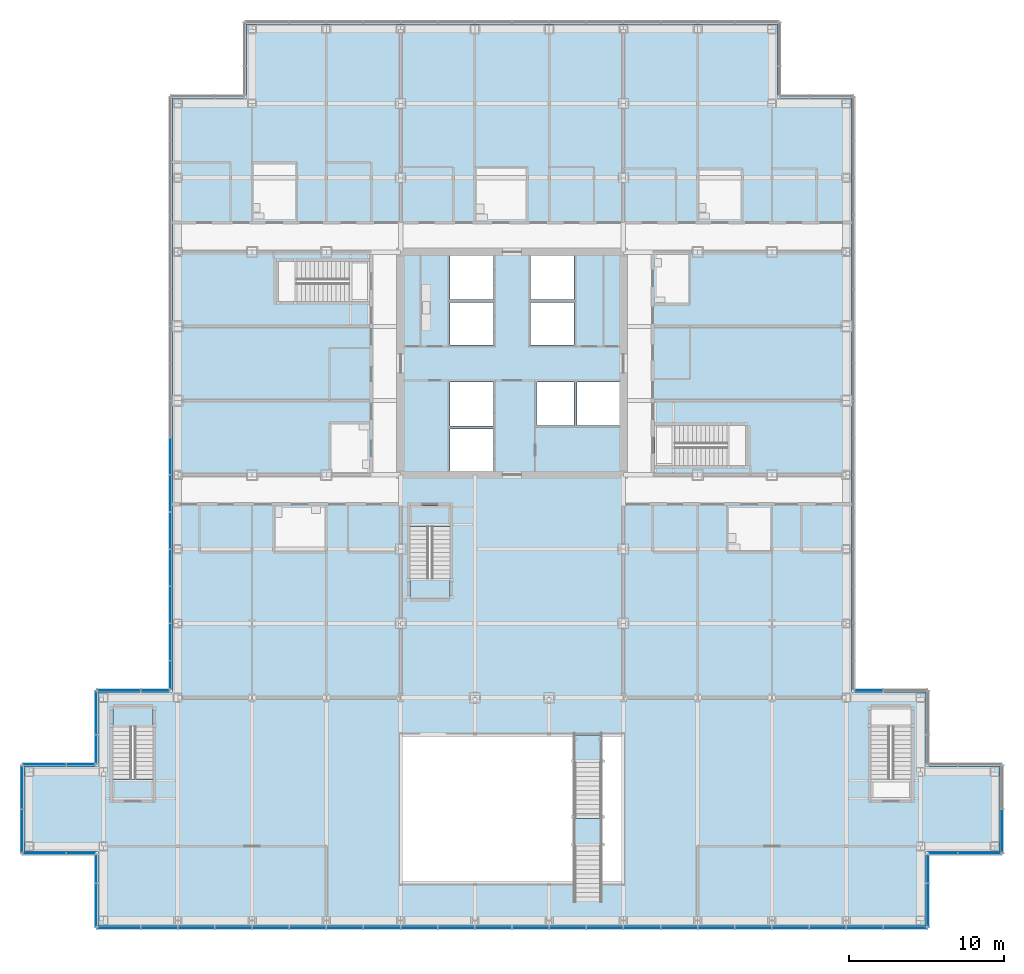
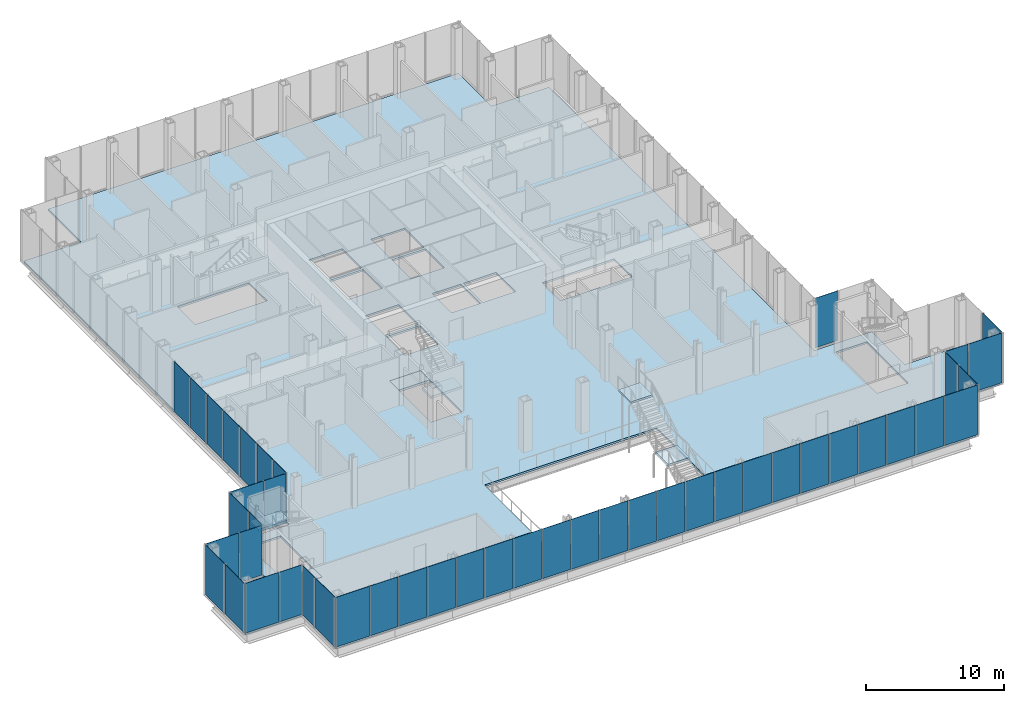
# One storey, part 17 of 28: 47 plates, 7 slabs, 15 elements without a shape of their own.
"""IFC4 building model written with IfcOpenShell, lengths in metres."""

from ifc_helpers import new_model, si_unit, direction, frame, origin, origin_2d, place, context, subcontext, project, spatial, polyline, rectangle, outline, extrude, material, layer, layer_set, type_object, element, aggregate, save


model = new_model("IFC4")

# Units and contexts
model_context = context("Model", 3, precision=1e-05, world=origin(), true_north=direction((0.0, 1.0)))
body_context = subcontext(model_context, "Body", "Model", "MODEL_VIEW")
ifc_project = project(units=[si_unit("LENGTHUNIT", "METRE"), si_unit("AREAUNIT", "SQUARE_METRE"), si_unit("VOLUMEUNIT", "CUBIC_METRE"), si_unit("PLANEANGLEUNIT", "RADIAN"), si_unit("MASSUNIT", "GRAM", prefix="KILO")], contexts=[model_context])

# Site, building, storey
site_placement = place(None, origin())
site = spatial("IfcSite", under=ifc_project, at=site_placement, CompositionType="ELEMENT")
building_placement = place(site_placement, origin())
building = spatial("IfcBuilding", under=site, at=building_placement, Name="Kvirike Care Tower", CompositionType="ELEMENT")
storey_placement = place(building_placement, frame((0.0, 0.0, 4.5)))
storey = spatial("IfcBuildingStorey", under=building, at=storey_placement, Name="L01", CompositionType="ELEMENT", Elevation=4.5)

# Stair, slabs
ifc_material_1 = material(Name="Steel S355 stringer stair with steel-pan treads", Category="steel")
stair_type_1 = type_object("IfcStairType", Name="ATRIUM FEATURE STAIR 26 RISERS", PredefinedType="TWO_STRAIGHT_RUN_STAIR", material=ifc_material_1)
stair_1_placement = place(storey_placement, origin())
stair_1 = element("IfcStair", 1, at=stair_1_placement, inside=storey, type_object=stair_type_1, Name="Atrium feature stair FB L01 to L02", PredefinedType="TWO_STRAIGHT_RUN_STAIR")
ifc_material_2 = material(Name="Steel-pan landing with concrete infill", Category="concrete")
ifc_layer_1 = layer(ifc_material_2, 0.199951171875)
ifc_layer_set_1 = layer_set([ifc_layer_1], Name="FEATURE STAIR LANDING 200")
slab_type_1 = type_object("IfcSlabType", Name="FEATURE STAIR LANDING 200", PredefinedType="LANDING", material=ifc_layer_set_1)
slab_1_placement = place(storey_placement, frame((0.0, 0.0, 2.050048828125)))
slab_1 = element("IfcSlab", 2, at=slab_1_placement, type_object=slab_type_1, Name="FB landing 1", PredefinedType="LANDING", context=body_context, shape_type="SweptSolid", body=[
    extrude(outline(polyline([(25.60009765625, 4.800048828125), (27.39990234375, 4.800048828125), (27.39990234375, 6.60009765625), (25.60009765625, 6.60009765625), (25.60009765625, 4.800048828125)])), origin(), (0.0, 0.0, 1.0), 0.199951171875),
])
ifc_material_3 = material(Name="Steel-pan landing with concrete infill, level with the floor", Category="concrete")
ifc_layer_2 = layer(ifc_material_3, 0.169921875)
ifc_layer_set_2 = layer_set([ifc_layer_2], Name="FEATURE STAIR TOP LANDING 170")
slab_type_2 = type_object("IfcSlabType", Name="FEATURE STAIR TOP LANDING 170", PredefinedType="LANDING", material=ifc_layer_set_2)
slab_2_placement = place(storey_placement, frame((0.0, 0.0, 4.330078125)))
slab_2 = element("IfcSlab", 3, at=slab_2_placement, type_object=slab_type_2, Name="FB top landing L02", PredefinedType="LANDING", context=body_context, shape_type="SweptSolid", body=[
    extrude(outline(polyline([(25.60009765625, 10.199951171875), (27.39990234375, 10.199951171875), (27.39990234375, 12.0), (25.60009765625, 12.0), (25.60009765625, 10.199951171875)])), origin(), (0.0, 0.0, 1.0), 0.169921875),
])
aggregate(stair_1, [slab_1, slab_2])

# Slab
ifc_material_4 = material(Name="Concrete C35/45", Category="concrete")
ifc_layer_3 = layer(ifc_material_4, 0.169921875)
ifc_layer_set_3 = layer_set([ifc_layer_3], Name="FLOOR SLAB 170")
slab_type_3 = type_object("IfcSlabType", Name="FLOOR SLAB 170", PredefinedType="FLOOR", material=ifc_layer_set_3)
slab_3_placement = place(storey_placement, frame((0.0, 0.0, -0.169921875)))
element("IfcSlab", 4, at=slab_3_placement, inside=storey, type_object=slab_type_3, Name="Floor slab L01", PredefinedType="FLOOR", context=body_context, shape_type="SweptSolid", body=[
    extrude(outline(polyline([(-5.14990234375, -0.35009765625), (48.35009765625, -0.35009765625), (48.35009765625, 4.449951171875), (53.14990234375, 4.449951171875), (53.14990234375, 9.949951171875), (48.35009765625, 9.949951171875), (48.35009765625, 14.75), (43.550048828125, 14.75), (43.550048828125, 53.14990234375), (38.75, 53.14990234375), (38.75, 57.949951171875), (4.449951171875, 57.949951171875), (4.449951171875, 53.14990234375), (-0.35009765625, 53.14990234375), (-0.35009765625, 14.75), (-5.14990234375, 14.75), (-5.14990234375, 9.949951171875), (-9.949951171875, 9.949951171875), (-9.949951171875, 4.449951171875), (-5.14990234375, 4.449951171875), (-5.14990234375, -0.35009765625)]), holes=[polyline([(17.60009765625, 29.050048828125), (17.60009765625, 31.75), (20.39990234375, 31.75), (20.39990234375, 29.050048828125), (17.60009765625, 29.050048828125)]), polyline([(17.60009765625, 31.949951171875), (17.60009765625, 34.800048828125), (20.39990234375, 34.800048828125), (20.39990234375, 31.949951171875), (17.60009765625, 31.949951171875)]), polyline([(17.60009765625, 37.199951171875), (17.60009765625, 39.949951171875), (20.39990234375, 39.949951171875), (20.39990234375, 37.199951171875), (17.60009765625, 37.199951171875)]), polyline([(17.60009765625, 40.14990234375), (17.60009765625, 42.949951171875), (20.39990234375, 42.949951171875), (20.39990234375, 40.14990234375), (17.60009765625, 40.14990234375)]), polyline([(22.800048828125, 37.199951171875), (22.800048828125, 39.949951171875), (25.60009765625, 39.949951171875), (25.60009765625, 37.199951171875), (22.800048828125, 37.199951171875)]), polyline([(22.800048828125, 40.14990234375), (22.800048828125, 42.949951171875), (25.60009765625, 42.949951171875), (25.60009765625, 40.14990234375), (22.800048828125, 40.14990234375)]), polyline([(23.199951171875, 32.0), (23.199951171875, 34.800048828125), (25.60009765625, 34.800048828125), (25.60009765625, 32.0), (23.199951171875, 32.0)]), polyline([(25.800048828125, 32.0), (25.800048828125, 34.800048828125), (28.550048828125, 34.800048828125), (28.550048828125, 32.0), (25.800048828125, 32.0)]), polyline([(14.39990234375, 2.39990234375), (14.39990234375, 12.0), (28.800048828125, 12.0), (28.800048828125, 2.39990234375), (14.39990234375, 2.39990234375)]), polyline([(12.39990234375, 42.60009765625), (12.39990234375, 40.0), (6.39990234375, 40.0), (6.39990234375, 42.60009765625), (12.39990234375, 42.60009765625)]), polyline([(30.800048828125, 29.39990234375), (30.800048828125, 32.0), (36.800048828125, 32.0), (36.800048828125, 29.39990234375), (30.800048828125, 29.39990234375)]), polyline([(-1.60009765625, 13.800048828125), (-1.60009765625, 7.800048828125), (-4.199951171875, 7.800048828125), (-4.199951171875, 13.800048828125), (-1.60009765625, 13.800048828125)]), polyline([(47.39990234375, 13.800048828125), (47.39990234375, 7.800048828125), (44.800048828125, 7.800048828125), (44.800048828125, 13.800048828125), (47.39990234375, 13.800048828125)]), polyline([(15.0, 26.800048828125), (17.60009765625, 26.800048828125), (17.60009765625, 20.800048828125), (15.0, 20.800048828125), (15.0, 26.800048828125)])]), origin(), (0.0, 0.0, 1.0), 0.169921875),
])

# Curtain wall, plates
ifc_material_5 = material(Name="Anodised aluminium stick system", Category="aluminium")
curtain_wall_type = type_object("IfcCurtainWallType", Name="CW-P PODIUM STICK CURTAIN WALL", PredefinedType="NOTDEFINED", material=ifc_material_5)
curtain_wall_1_placement = place(storey_placement, origin())
curtain_wall_1 = element("IfcCurtainWall", 5, at=curtain_wall_1_placement, inside=storey, type_object=curtain_wall_type, Name="Curtain wall L01 face 1", PredefinedType="NOTDEFINED")
ifc_material_6 = material(Name="Tinted double glazed unit", Category="glass")
ifc_layer_4 = layer(ifc_material_6, 0.031982421875)
ifc_layer_set_4 = layer_set([ifc_layer_4], Name="PODIUM VISION PANEL 32")
plate_type = type_object("IfcPlateType", Name="PODIUM VISION PANEL 32", PredefinedType="CURTAIN_PANEL", material=ifc_layer_set_4)
plate_1_placement = place(storey_placement, frame((-3.8212890625, -0.47509765625, 0.10009765625), z_axis=(0.0, 0.0, 1.0), x_axis=(1.0, 0.0, 0.0)))
plate_1 = element("IfcPlate", 6, at=plate_1_placement, type_object=plate_type, Name="CW-P panel L01 face 1.1", PredefinedType="CURTAIN_PANEL", context=body_context, shape_type="SweptSolid", body=[
    extrude(rectangle(XDim=2.777587890625, YDim=0.031982421875, at=origin_2d()), origin(), (0.0, 0.0, 1.0), 4.39990234375),
])
plate_2_placement = place(storey_placement, frame((-1.199951171875, -0.47509765625, 0.10009765625), z_axis=(0.0, 0.0, 1.0), x_axis=(1.0, 0.0, 0.0)))
plate_2 = element("IfcPlate", 7, at=plate_2_placement, type_object=plate_type, Name="CW-P panel L01 face 1.2", PredefinedType="CURTAIN_PANEL", context=body_context, shape_type="SweptSolid", body=[
    extrude(rectangle(XDim=2.3349609375, YDim=0.031982421875, at=origin_2d()), origin(), (0.0, 0.0, 1.0), 4.39990234375),
])
plate_3_placement = place(storey_placement, frame((1.199951171875, -0.47509765625, 0.10009765625), z_axis=(0.0, 0.0, 1.0), x_axis=(1.0, 0.0, 0.0)))
plate_3 = element("IfcPlate", 8, at=plate_3_placement, type_object=plate_type, Name="CW-P panel L01 face 1.3", PredefinedType="CURTAIN_PANEL", context=body_context, shape_type="SweptSolid", body=[
    extrude(rectangle(XDim=2.3349609375, YDim=0.031982421875, at=origin_2d()), origin(), (0.0, 0.0, 1.0), 4.39990234375),
])
plate_4_placement = place(storey_placement, frame((3.60009765625, -0.47509765625, 0.10009765625), z_axis=(0.0, 0.0, 1.0), x_axis=(1.0, 0.0, 0.0)))
plate_4 = element("IfcPlate", 9, at=plate_4_placement, type_object=plate_type, Name="CW-P panel L01 face 1.4", PredefinedType="CURTAIN_PANEL", context=body_context, shape_type="SweptSolid", body=[
    extrude(rectangle(XDim=2.3349609375, YDim=0.031982421875, at=origin_2d()), origin(), (0.0, 0.0, 1.0), 4.39990234375),
])
plate_5_placement = place(storey_placement, frame((6.0, -0.47509765625, 0.10009765625), z_axis=(0.0, 0.0, 1.0), x_axis=(1.0, 0.0, 0.0)))
plate_5 = element("IfcPlate", 10, at=plate_5_placement, type_object=plate_type, Name="CW-P panel L01 face 1.5", PredefinedType="CURTAIN_PANEL", context=body_context, shape_type="SweptSolid", body=[
    extrude(rectangle(XDim=2.3349609375, YDim=0.031982421875, at=origin_2d()), origin(), (0.0, 0.0, 1.0), 4.39990234375),
])
plate_6_placement = place(storey_placement, frame((8.39990234375, -0.47509765625, 0.10009765625), z_axis=(0.0, 0.0, 1.0), x_axis=(1.0, 0.0, 0.0)))
plate_6 = element("IfcPlate", 11, at=plate_6_placement, type_object=plate_type, Name="CW-P panel L01 face 1.6", PredefinedType="CURTAIN_PANEL", context=body_context, shape_type="SweptSolid", body=[
    extrude(rectangle(XDim=2.3349609375, YDim=0.031982421875, at=origin_2d()), origin(), (0.0, 0.0, 1.0), 4.39990234375),
])
plate_7_placement = place(storey_placement, frame((10.800048828125, -0.47509765625, 0.10009765625), z_axis=(0.0, 0.0, 1.0), x_axis=(1.0, 0.0, 0.0)))
plate_7 = element("IfcPlate", 12, at=plate_7_placement, type_object=plate_type, Name="CW-P panel L01 face 1.7", PredefinedType="CURTAIN_PANEL", context=body_context, shape_type="SweptSolid", body=[
    extrude(rectangle(XDim=2.3349609375, YDim=0.031982421875, at=origin_2d()), origin(), (0.0, 0.0, 1.0), 4.39990234375),
])
plate_8_placement = place(storey_placement, frame((13.199951171875, -0.47509765625, 0.10009765625), z_axis=(0.0, 0.0, 1.0), x_axis=(1.0, 0.0, 0.0)))
plate_8 = element("IfcPlate", 13, at=plate_8_placement, type_object=plate_type, Name="CW-P panel L01 face 1.8", PredefinedType="CURTAIN_PANEL", context=body_context, shape_type="SweptSolid", body=[
    extrude(rectangle(XDim=2.3349609375, YDim=0.031982421875, at=origin_2d()), origin(), (0.0, 0.0, 1.0), 4.39990234375),
])
plate_9_placement = place(storey_placement, frame((15.60009765625, -0.47509765625, 0.10009765625), z_axis=(0.0, 0.0, 1.0), x_axis=(1.0, 0.0, 0.0)))
plate_9 = element("IfcPlate", 14, at=plate_9_placement, type_object=plate_type, Name="CW-P panel L01 face 1.9", PredefinedType="CURTAIN_PANEL", context=body_context, shape_type="SweptSolid", body=[
    extrude(rectangle(XDim=2.3349609375, YDim=0.031982421875, at=origin_2d()), origin(), (0.0, 0.0, 1.0), 4.39990234375),
])
plate_10_placement = place(storey_placement, frame((18.0, -0.47509765625, 0.10009765625), z_axis=(0.0, 0.0, 1.0), x_axis=(1.0, 0.0, 0.0)))
plate_10 = element("IfcPlate", 15, at=plate_10_placement, type_object=plate_type, Name="CW-P panel L01 face 1.10", PredefinedType="CURTAIN_PANEL", context=body_context, shape_type="SweptSolid", body=[
    extrude(rectangle(XDim=2.3349609375, YDim=0.031982421875, at=origin_2d()), origin(), (0.0, 0.0, 1.0), 4.39990234375),
])
plate_11_placement = place(storey_placement, frame((20.39990234375, -0.47509765625, 0.10009765625), z_axis=(0.0, 0.0, 1.0), x_axis=(1.0, 0.0, 0.0)))
plate_11 = element("IfcPlate", 16, at=plate_11_placement, type_object=plate_type, Name="CW-P panel L01 face 1.11", PredefinedType="CURTAIN_PANEL", context=body_context, shape_type="SweptSolid", body=[
    extrude(rectangle(XDim=2.3349609375, YDim=0.031982421875, at=origin_2d()), origin(), (0.0, 0.0, 1.0), 4.39990234375),
])
plate_12_placement = place(storey_placement, frame((22.800048828125, -0.47509765625, 0.10009765625), z_axis=(0.0, 0.0, 1.0), x_axis=(1.0, 0.0, 0.0)))
plate_12 = element("IfcPlate", 17, at=plate_12_placement, type_object=plate_type, Name="CW-P panel L01 face 1.12", PredefinedType="CURTAIN_PANEL", context=body_context, shape_type="SweptSolid", body=[
    extrude(rectangle(XDim=2.3349609375, YDim=0.031982421875, at=origin_2d()), origin(), (0.0, 0.0, 1.0), 4.39990234375),
])
plate_13_placement = place(storey_placement, frame((25.199951171875, -0.47509765625, 0.10009765625), z_axis=(0.0, 0.0, 1.0), x_axis=(1.0, 0.0, 0.0)))
plate_13 = element("IfcPlate", 18, at=plate_13_placement, type_object=plate_type, Name="CW-P panel L01 face 1.13", PredefinedType="CURTAIN_PANEL", context=body_context, shape_type="SweptSolid", body=[
    extrude(rectangle(XDim=2.3349609375, YDim=0.031982421875, at=origin_2d()), origin(), (0.0, 0.0, 1.0), 4.39990234375),
])
plate_14_placement = place(storey_placement, frame((27.60009765625, -0.47509765625, 0.10009765625), z_axis=(0.0, 0.0, 1.0), x_axis=(1.0, 0.0, 0.0)))
plate_14 = element("IfcPlate", 19, at=plate_14_placement, type_object=plate_type, Name="CW-P panel L01 face 1.14", PredefinedType="CURTAIN_PANEL", context=body_context, shape_type="SweptSolid", body=[
    extrude(rectangle(XDim=2.3349609375, YDim=0.031982421875, at=origin_2d()), origin(), (0.0, 0.0, 1.0), 4.39990234375),
])
plate_15_placement = place(storey_placement, frame((30.0, -0.47509765625, 0.10009765625), z_axis=(0.0, 0.0, 1.0), x_axis=(1.0, 0.0, 0.0)))
plate_15 = element("IfcPlate", 20, at=plate_15_placement, type_object=plate_type, Name="CW-P panel L01 face 1.15", PredefinedType="CURTAIN_PANEL", context=body_context, shape_type="SweptSolid", body=[
    extrude(rectangle(XDim=2.3349609375, YDim=0.031982421875, at=origin_2d()), origin(), (0.0, 0.0, 1.0), 4.39990234375),
])
plate_16_placement = place(storey_placement, frame((32.39990234375, -0.47509765625, 0.10009765625), z_axis=(0.0, 0.0, 1.0), x_axis=(1.0, 0.0, 0.0)))
plate_16 = element("IfcPlate", 21, at=plate_16_placement, type_object=plate_type, Name="CW-P panel L01 face 1.16", PredefinedType="CURTAIN_PANEL", context=body_context, shape_type="SweptSolid", body=[
    extrude(rectangle(XDim=2.3349609375, YDim=0.031982421875, at=origin_2d()), origin(), (0.0, 0.0, 1.0), 4.39990234375),
])
plate_17_placement = place(storey_placement, frame((34.800048828125, -0.47509765625, 0.10009765625), z_axis=(0.0, 0.0, 1.0), x_axis=(1.0, 0.0, 0.0)))
plate_17 = element("IfcPlate", 22, at=plate_17_placement, type_object=plate_type, Name="CW-P panel L01 face 1.17", PredefinedType="CURTAIN_PANEL", context=body_context, shape_type="SweptSolid", body=[
    extrude(rectangle(XDim=2.3349609375, YDim=0.031982421875, at=origin_2d()), origin(), (0.0, 0.0, 1.0), 4.39990234375),
])
plate_18_placement = place(storey_placement, frame((37.199951171875, -0.47509765625, 0.10009765625), z_axis=(0.0, 0.0, 1.0), x_axis=(1.0, 0.0, 0.0)))
plate_18 = element("IfcPlate", 23, at=plate_18_placement, type_object=plate_type, Name="CW-P panel L01 face 1.18", PredefinedType="CURTAIN_PANEL", context=body_context, shape_type="SweptSolid", body=[
    extrude(rectangle(XDim=2.3349609375, YDim=0.031982421875, at=origin_2d()), origin(), (0.0, 0.0, 1.0), 4.39990234375),
])
plate_19_placement = place(storey_placement, frame((39.60009765625, -0.47509765625, 0.10009765625), z_axis=(0.0, 0.0, 1.0), x_axis=(1.0, 0.0, 0.0)))
plate_19 = element("IfcPlate", 24, at=plate_19_placement, type_object=plate_type, Name="CW-P panel L01 face 1.19", PredefinedType="CURTAIN_PANEL", context=body_context, shape_type="SweptSolid", body=[
    extrude(rectangle(XDim=2.3349609375, YDim=0.031982421875, at=origin_2d()), origin(), (0.0, 0.0, 1.0), 4.39990234375),
])
plate_20_placement = place(storey_placement, frame((42.0, -0.47509765625, 0.10009765625), z_axis=(0.0, 0.0, 1.0), x_axis=(1.0, 0.0, 0.0)))
plate_20 = element("IfcPlate", 25, at=plate_20_placement, type_object=plate_type, Name="CW-P panel L01 face 1.20", PredefinedType="CURTAIN_PANEL", context=body_context, shape_type="SweptSolid", body=[
    extrude(rectangle(XDim=2.3349609375, YDim=0.031982421875, at=origin_2d()), origin(), (0.0, 0.0, 1.0), 4.39990234375),
])
plate_21_placement = place(storey_placement, frame((44.39990234375, -0.47509765625, 0.10009765625), z_axis=(0.0, 0.0, 1.0), x_axis=(1.0, 0.0, 0.0)))
plate_21 = element("IfcPlate", 26, at=plate_21_placement, type_object=plate_type, Name="CW-P panel L01 face 1.21", PredefinedType="CURTAIN_PANEL", context=body_context, shape_type="SweptSolid", body=[
    extrude(rectangle(XDim=2.3349609375, YDim=0.031982421875, at=origin_2d()), origin(), (0.0, 0.0, 1.0), 4.39990234375),
])
plate_22_placement = place(storey_placement, frame((47.021240234375, -0.47509765625, 0.10009765625), z_axis=(0.0, 0.0, 1.0), x_axis=(1.0, 0.0, 0.0)))
plate_22 = element("IfcPlate", 27, at=plate_22_placement, type_object=plate_type, Name="CW-P panel L01 face 1.22", PredefinedType="CURTAIN_PANEL", context=body_context, shape_type="SweptSolid", body=[
    extrude(rectangle(XDim=2.777587890625, YDim=0.031982421875, at=origin_2d()), origin(), (0.0, 0.0, 1.0), 4.39990234375),
])
aggregate(curtain_wall_1, [plate_1, plate_2, plate_3, plate_4, plate_5, plate_6, plate_7, plate_8, plate_9, plate_10, plate_11, plate_12, plate_13, plate_14, plate_15, plate_16, plate_17, plate_18, plate_19, plate_20, plate_21, plate_22])

curtain_wall_2_placement = place(storey_placement, origin())
curtain_wall_2 = element("IfcCurtainWall", 28, at=curtain_wall_2_placement, inside=storey, type_object=curtain_wall_type, Name="Curtain wall L01 face 2", PredefinedType="NOTDEFINED")
plate_23_placement = place(storey_placement, frame((48.47509765625, 0.978759765625, 0.10009765625), z_axis=(0.0, 0.0, 1.0), x_axis=(0.0, 1.0, 0.0)))
plate_23 = element("IfcPlate", 29, at=plate_23_placement, type_object=plate_type, Name="CW-P panel L01 face 2.1", PredefinedType="CURTAIN_PANEL", context=body_context, shape_type="SweptSolid", body=[
    extrude(rectangle(XDim=2.777587890625, YDim=0.031982421875, at=origin_2d()), origin(), (0.0, 0.0, 1.0), 4.39990234375),
])
plate_24_placement = place(storey_placement, frame((48.47509765625, 3.34619140625, 0.10009765625), z_axis=(0.0, 0.0, 1.0), x_axis=(0.0, 1.0, 0.0)))
plate_24 = element("IfcPlate", 30, at=plate_24_placement, type_object=plate_type, Name="CW-P panel L01 face 2.2", PredefinedType="CURTAIN_PANEL", context=body_context, shape_type="SweptSolid", body=[
    extrude(rectangle(XDim=1.827392578125, YDim=0.031982421875, at=origin_2d()), origin(), (0.0, 0.0, 1.0), 4.39990234375),
])
aggregate(curtain_wall_2, [plate_23, plate_24])

curtain_wall_3_placement = place(storey_placement, origin())
curtain_wall_3 = element("IfcCurtainWall", 31, at=curtain_wall_3_placement, inside=storey, type_object=curtain_wall_type, Name="Curtain wall L01 face 3", PredefinedType="NOTDEFINED")
plate_25_placement = place(storey_placement, frame((49.453857421875, 4.324951171875, 0.10009765625), z_axis=(0.0, 0.0, 1.0), x_axis=(1.0, 0.0, 0.0)))
plate_25 = element("IfcPlate", 32, at=plate_25_placement, type_object=plate_type, Name="CW-P panel L01 face 3.1", PredefinedType="CURTAIN_PANEL", context=body_context, shape_type="SweptSolid", body=[
    extrude(rectangle(XDim=1.827392578125, YDim=0.031982421875, at=origin_2d()), origin(), (0.0, 0.0, 1.0), 4.39990234375),
])
plate_26_placement = place(storey_placement, frame((51.8212890625, 4.324951171875, 0.10009765625), z_axis=(0.0, 0.0, 1.0), x_axis=(1.0, 0.0, 0.0)))
plate_26 = element("IfcPlate", 33, at=plate_26_placement, type_object=plate_type, Name="CW-P panel L01 face 3.2", PredefinedType="CURTAIN_PANEL", context=body_context, shape_type="SweptSolid", body=[
    extrude(rectangle(XDim=2.777587890625, YDim=0.031982421875, at=origin_2d()), origin(), (0.0, 0.0, 1.0), 4.39990234375),
])
aggregate(curtain_wall_3, [plate_25, plate_26])

# Curtain wall, plate
curtain_wall_4_placement = place(storey_placement, origin())
curtain_wall_4 = element("IfcCurtainWall", 34, at=curtain_wall_4_placement, inside=storey, type_object=curtain_wall_type, Name="Curtain wall L01 face 4", PredefinedType="NOTDEFINED")
plate_27_placement = place(storey_placement, frame((53.27490234375, 5.77880859375, 0.10009765625), z_axis=(0.0, 0.0, 1.0), x_axis=(0.0, 1.0, 0.0)))
plate_27 = element("IfcPlate", 35, at=plate_27_placement, type_object=plate_type, Name="CW-P panel L01 face 4.1", PredefinedType="CURTAIN_PANEL", context=body_context, shape_type="SweptSolid", body=[
    extrude(rectangle(XDim=2.777587890625, YDim=0.031982421875, at=origin_2d()), origin(), (0.0, 0.0, 1.0), 4.39990234375),
])
aggregate(curtain_wall_4, [plate_27])

curtain_wall_5_placement = place(storey_placement, origin())
curtain_wall_5 = element("IfcCurtainWall", 36, at=curtain_wall_5_placement, inside=storey, type_object=curtain_wall_type, Name="Curtain wall L01 face 7", PredefinedType="NOTDEFINED")
plate_28_placement = place(storey_placement, frame((44.65380859375, 14.875, 0.10009765625), z_axis=(0.0, 0.0, 1.0), x_axis=(-1.0, 0.0, 0.0)))
plate_28 = element("IfcPlate", 37, at=plate_28_placement, type_object=plate_type, Name="CW-P panel L01 face 7.2", PredefinedType="CURTAIN_PANEL", context=body_context, shape_type="SweptSolid", body=[
    extrude(rectangle(XDim=1.827392578125, YDim=0.031982421875, at=origin_2d()), origin(), (0.0, 0.0, 1.0), 4.39990234375),
])
aggregate(curtain_wall_5, [plate_28])

# Curtain wall, plates
curtain_wall_6_placement = place(storey_placement, origin())
curtain_wall_6 = element("IfcCurtainWall", 38, at=curtain_wall_6_placement, inside=storey, type_object=curtain_wall_type, Name="Curtain wall L01 face 14", PredefinedType="NOTDEFINED")
plate_29_placement = place(storey_placement, frame((-0.47509765625, 30.0, 0.10009765625), z_axis=(0.0, 0.0, 1.0), x_axis=(0.0, -1.0, 0.0)))
plate_29 = element("IfcPlate", 39, at=plate_29_placement, type_object=plate_type, Name="CW-P panel L01 face 14.10", PredefinedType="CURTAIN_PANEL", context=body_context, shape_type="SweptSolid", body=[
    extrude(rectangle(XDim=2.3349609375, YDim=0.031982421875, at=origin_2d()), origin(), (0.0, 0.0, 1.0), 4.39990234375),
])
plate_30_placement = place(storey_placement, frame((-0.47509765625, 27.60009765625, 0.10009765625), z_axis=(0.0, 0.0, 1.0), x_axis=(0.0, -1.0, 0.0)))
plate_30 = element("IfcPlate", 40, at=plate_30_placement, type_object=plate_type, Name="CW-P panel L01 face 14.11", PredefinedType="CURTAIN_PANEL", context=body_context, shape_type="SweptSolid", body=[
    extrude(rectangle(XDim=2.3349609375, YDim=0.031982421875, at=origin_2d()), origin(), (0.0, 0.0, 1.0), 4.39990234375),
])
plate_31_placement = place(storey_placement, frame((-0.47509765625, 25.199951171875, 0.10009765625), z_axis=(0.0, 0.0, 1.0), x_axis=(0.0, -1.0, 0.0)))
plate_31 = element("IfcPlate", 41, at=plate_31_placement, type_object=plate_type, Name="CW-P panel L01 face 14.12", PredefinedType="CURTAIN_PANEL", context=body_context, shape_type="SweptSolid", body=[
    extrude(rectangle(XDim=2.3349609375, YDim=0.031982421875, at=origin_2d()), origin(), (0.0, 0.0, 1.0), 4.39990234375),
])
plate_32_placement = place(storey_placement, frame((-0.47509765625, 22.800048828125, 0.10009765625), z_axis=(0.0, 0.0, 1.0), x_axis=(0.0, -1.0, 0.0)))
plate_32 = element("IfcPlate", 42, at=plate_32_placement, type_object=plate_type, Name="CW-P panel L01 face 14.13", PredefinedType="CURTAIN_PANEL", context=body_context, shape_type="SweptSolid", body=[
    extrude(rectangle(XDim=2.3349609375, YDim=0.031982421875, at=origin_2d()), origin(), (0.0, 0.0, 1.0), 4.39990234375),
])
plate_33_placement = place(storey_placement, frame((-0.47509765625, 20.39990234375, 0.10009765625), z_axis=(0.0, 0.0, 1.0), x_axis=(0.0, -1.0, 0.0)))
plate_33 = element("IfcPlate", 43, at=plate_33_placement, type_object=plate_type, Name="CW-P panel L01 face 14.14", PredefinedType="CURTAIN_PANEL", context=body_context, shape_type="SweptSolid", body=[
    extrude(rectangle(XDim=2.3349609375, YDim=0.031982421875, at=origin_2d()), origin(), (0.0, 0.0, 1.0), 4.39990234375),
])
plate_34_placement = place(storey_placement, frame((-0.47509765625, 18.0, 0.10009765625), z_axis=(0.0, 0.0, 1.0), x_axis=(0.0, -1.0, 0.0)))
plate_34 = element("IfcPlate", 44, at=plate_34_placement, type_object=plate_type, Name="CW-P panel L01 face 14.15", PredefinedType="CURTAIN_PANEL", context=body_context, shape_type="SweptSolid", body=[
    extrude(rectangle(XDim=2.3349609375, YDim=0.031982421875, at=origin_2d()), origin(), (0.0, 0.0, 1.0), 4.39990234375),
])
plate_35_placement = place(storey_placement, frame((-0.47509765625, 15.853759765625, 0.10009765625), z_axis=(0.0, 0.0, 1.0), x_axis=(0.0, -1.0, 0.0)))
plate_35 = element("IfcPlate", 45, at=plate_35_placement, type_object=plate_type, Name="CW-P panel L01 face 14.16", PredefinedType="CURTAIN_PANEL", context=body_context, shape_type="SweptSolid", body=[
    extrude(rectangle(XDim=1.827392578125, YDim=0.031982421875, at=origin_2d()), origin(), (0.0, 0.0, 1.0), 4.39990234375),
])
aggregate(curtain_wall_6, [plate_29, plate_30, plate_31, plate_32, plate_33, plate_34, plate_35])

curtain_wall_7_placement = place(storey_placement, origin())
curtain_wall_7 = element("IfcCurtainWall", 46, at=curtain_wall_7_placement, inside=storey, type_object=curtain_wall_type, Name="Curtain wall L01 face 15", PredefinedType="NOTDEFINED")
plate_36_placement = place(storey_placement, frame((-1.453857421875, 14.875, 0.10009765625), z_axis=(0.0, 0.0, 1.0), x_axis=(-1.0, 0.0, 0.0)))
plate_36 = element("IfcPlate", 47, at=plate_36_placement, type_object=plate_type, Name="CW-P panel L01 face 15.1", PredefinedType="CURTAIN_PANEL", context=body_context, shape_type="SweptSolid", body=[
    extrude(rectangle(XDim=1.827392578125, YDim=0.031982421875, at=origin_2d()), origin(), (0.0, 0.0, 1.0), 4.39990234375),
])
plate_37_placement = place(storey_placement, frame((-3.8212890625, 14.875, 0.10009765625), z_axis=(0.0, 0.0, 1.0), x_axis=(-1.0, 0.0, 0.0)))
plate_37 = element("IfcPlate", 48, at=plate_37_placement, type_object=plate_type, Name="CW-P panel L01 face 15.2", PredefinedType="CURTAIN_PANEL", context=body_context, shape_type="SweptSolid", body=[
    extrude(rectangle(XDim=2.777587890625, YDim=0.031982421875, at=origin_2d()), origin(), (0.0, 0.0, 1.0), 4.39990234375),
])
aggregate(curtain_wall_7, [plate_36, plate_37])

curtain_wall_8_placement = place(storey_placement, origin())
curtain_wall_8 = element("IfcCurtainWall", 49, at=curtain_wall_8_placement, inside=storey, type_object=curtain_wall_type, Name="Curtain wall L01 face 16", PredefinedType="NOTDEFINED")
plate_38_placement = place(storey_placement, frame((-5.27490234375, 13.421142578125, 0.10009765625), z_axis=(0.0, 0.0, 1.0), x_axis=(0.0, -1.0, 0.0)))
plate_38 = element("IfcPlate", 50, at=plate_38_placement, type_object=plate_type, Name="CW-P panel L01 face 16.1", PredefinedType="CURTAIN_PANEL", context=body_context, shape_type="SweptSolid", body=[
    extrude(rectangle(XDim=2.777587890625, YDim=0.031982421875, at=origin_2d()), origin(), (0.0, 0.0, 1.0), 4.39990234375),
])
plate_39_placement = place(storey_placement, frame((-5.27490234375, 11.0537109375, 0.10009765625), z_axis=(0.0, 0.0, 1.0), x_axis=(0.0, -1.0, 0.0)))
plate_39 = element("IfcPlate", 51, at=plate_39_placement, type_object=plate_type, Name="CW-P panel L01 face 16.2", PredefinedType="CURTAIN_PANEL", context=body_context, shape_type="SweptSolid", body=[
    extrude(rectangle(XDim=1.827392578125, YDim=0.031982421875, at=origin_2d()), origin(), (0.0, 0.0, 1.0), 4.39990234375),
])
aggregate(curtain_wall_8, [plate_38, plate_39])

curtain_wall_9_placement = place(storey_placement, origin())
curtain_wall_9 = element("IfcCurtainWall", 52, at=curtain_wall_9_placement, inside=storey, type_object=curtain_wall_type, Name="Curtain wall L01 face 17", PredefinedType="NOTDEFINED")
plate_40_placement = place(storey_placement, frame((-6.253662109375, 10.074951171875, 0.10009765625), z_axis=(0.0, 0.0, 1.0), x_axis=(-1.0, 0.0, 0.0)))
plate_40 = element("IfcPlate", 53, at=plate_40_placement, type_object=plate_type, Name="CW-P panel L01 face 17.1", PredefinedType="CURTAIN_PANEL", context=body_context, shape_type="SweptSolid", body=[
    extrude(rectangle(XDim=1.827392578125, YDim=0.031982421875, at=origin_2d()), origin(), (0.0, 0.0, 1.0), 4.39990234375),
])
plate_41_placement = place(storey_placement, frame((-8.621337890625, 10.074951171875, 0.10009765625), z_axis=(0.0, 0.0, 1.0), x_axis=(-1.0, 0.0, 0.0)))
plate_41 = element("IfcPlate", 54, at=plate_41_placement, type_object=plate_type, Name="CW-P panel L01 face 17.2", PredefinedType="CURTAIN_PANEL", context=body_context, shape_type="SweptSolid", body=[
    extrude(rectangle(XDim=2.777587890625, YDim=0.031982421875, at=origin_2d()), origin(), (0.0, 0.0, 1.0), 4.39990234375),
])
aggregate(curtain_wall_9, [plate_40, plate_41])

curtain_wall_10_placement = place(storey_placement, origin())
curtain_wall_10 = element("IfcCurtainWall", 55, at=curtain_wall_10_placement, inside=storey, type_object=curtain_wall_type, Name="Curtain wall L01 face 18", PredefinedType="NOTDEFINED")
plate_42_placement = place(storey_placement, frame((-10.074951171875, 8.621337890625, 0.10009765625), z_axis=(0.0, 0.0, 1.0), x_axis=(0.0, -1.0, 0.0)))
plate_42 = element("IfcPlate", 56, at=plate_42_placement, type_object=plate_type, Name="CW-P panel L01 face 18.1", PredefinedType="CURTAIN_PANEL", context=body_context, shape_type="SweptSolid", body=[
    extrude(rectangle(XDim=2.777587890625, YDim=0.031982421875, at=origin_2d()), origin(), (0.0, 0.0, 1.0), 4.39990234375),
])
plate_43_placement = place(storey_placement, frame((-10.074951171875, 5.77880859375, 0.10009765625), z_axis=(0.0, 0.0, 1.0), x_axis=(0.0, -1.0, 0.0)))
plate_43 = element("IfcPlate", 57, at=plate_43_placement, type_object=plate_type, Name="CW-P panel L01 face 18.2", PredefinedType="CURTAIN_PANEL", context=body_context, shape_type="SweptSolid", body=[
    extrude(rectangle(XDim=2.777587890625, YDim=0.031982421875, at=origin_2d()), origin(), (0.0, 0.0, 1.0), 4.39990234375),
])
aggregate(curtain_wall_10, [plate_42, plate_43])

curtain_wall_11_placement = place(storey_placement, origin())
curtain_wall_11 = element("IfcCurtainWall", 58, at=curtain_wall_11_placement, inside=storey, type_object=curtain_wall_type, Name="Curtain wall L01 face 19", PredefinedType="NOTDEFINED")
plate_44_placement = place(storey_placement, frame((-8.621337890625, 4.324951171875, 0.10009765625), z_axis=(0.0, 0.0, 1.0), x_axis=(1.0, 0.0, 0.0)))
plate_44 = element("IfcPlate", 59, at=plate_44_placement, type_object=plate_type, Name="CW-P panel L01 face 19.1", PredefinedType="CURTAIN_PANEL", context=body_context, shape_type="SweptSolid", body=[
    extrude(rectangle(XDim=2.777587890625, YDim=0.031982421875, at=origin_2d()), origin(), (0.0, 0.0, 1.0), 4.39990234375),
])
plate_45_placement = place(storey_placement, frame((-6.253662109375, 4.324951171875, 0.10009765625), z_axis=(0.0, 0.0, 1.0), x_axis=(1.0, 0.0, 0.0)))
plate_45 = element("IfcPlate", 60, at=plate_45_placement, type_object=plate_type, Name="CW-P panel L01 face 19.2", PredefinedType="CURTAIN_PANEL", context=body_context, shape_type="SweptSolid", body=[
    extrude(rectangle(XDim=1.827392578125, YDim=0.031982421875, at=origin_2d()), origin(), (0.0, 0.0, 1.0), 4.39990234375),
])
aggregate(curtain_wall_11, [plate_44, plate_45])

curtain_wall_12_placement = place(storey_placement, origin())
curtain_wall_12 = element("IfcCurtainWall", 61, at=curtain_wall_12_placement, inside=storey, type_object=curtain_wall_type, Name="Curtain wall L01 face 20", PredefinedType="NOTDEFINED")
plate_46_placement = place(storey_placement, frame((-5.27490234375, 3.34619140625, 0.10009765625), z_axis=(0.0, 0.0, 1.0), x_axis=(0.0, -1.0, 0.0)))
plate_46 = element("IfcPlate", 62, at=plate_46_placement, type_object=plate_type, Name="CW-P panel L01 face 20.1", PredefinedType="CURTAIN_PANEL", context=body_context, shape_type="SweptSolid", body=[
    extrude(rectangle(XDim=1.827392578125, YDim=0.031982421875, at=origin_2d()), origin(), (0.0, 0.0, 1.0), 4.39990234375),
])
plate_47_placement = place(storey_placement, frame((-5.27490234375, 0.978759765625, 0.10009765625), z_axis=(0.0, 0.0, 1.0), x_axis=(0.0, -1.0, 0.0)))
plate_47 = element("IfcPlate", 63, at=plate_47_placement, type_object=plate_type, Name="CW-P panel L01 face 20.2", PredefinedType="CURTAIN_PANEL", context=body_context, shape_type="SweptSolid", body=[
    extrude(rectangle(XDim=2.777587890625, YDim=0.031982421875, at=origin_2d()), origin(), (0.0, 0.0, 1.0), 4.39990234375),
])
aggregate(curtain_wall_12, [plate_46, plate_47])

# Stair, slabs
ifc_material_7 = material(Name="Concrete C35/45", Category="concrete")
stair_type_2 = type_object("IfcStairType", Name="STAIR 26 RISERS", PredefinedType="HALF_TURN_STAIR", material=ifc_material_7)
stair_2_placement = place(storey_placement, origin())
stair_2 = element("IfcStair", 64, at=stair_2_placement, inside=storey, type_object=stair_type_2, Name="Stair 3 L01", PredefinedType="HALF_TURN_STAIR")
ifc_material_8 = material(Name="Concrete C35/45", Category="concrete")
ifc_layer_5 = layer(ifc_material_8, 0.199951171875)
ifc_layer_set_5 = layer_set([ifc_layer_5], Name="STAIR LANDING 200")
slab_type_4 = type_object("IfcSlabType", Name="STAIR LANDING 200", PredefinedType="LANDING", material=ifc_layer_set_5)
slab_4_placement = place(storey_placement, frame((0.0, 0.0, -0.199951171875)))
slab_4 = element("IfcSlab", 65, at=slab_4_placement, type_object=slab_type_4, Name="Stair S3 floor landing L01", PredefinedType="LANDING", context=body_context, shape_type="SweptSolid", body=[
    extrude(outline(polyline([(-4.199951171875, 7.800048828125), (-1.60009765625, 7.800048828125), (-1.60009765625, 9.139892578125), (-4.199951171875, 9.139892578125), (-4.199951171875, 7.800048828125)])), origin(), (0.0, 0.0, 1.0), 0.199951171875),
])
slab_5_placement = place(storey_placement, frame((0.0, 0.0, 2.050048828125)))
slab_5 = element("IfcSlab", 66, at=slab_5_placement, type_object=slab_type_4, Name="Stair S3 half landing L01-L02", PredefinedType="LANDING", context=body_context, shape_type="SweptSolid", body=[
    extrude(outline(polyline([(-4.199951171875, 12.5), (-1.60009765625, 12.5), (-1.60009765625, 13.800048828125), (-4.199951171875, 13.800048828125), (-4.199951171875, 12.5)])), origin(), (0.0, 0.0, 1.0), 0.199951171875),
])
aggregate(stair_2, [slab_4, slab_5])

stair_3_placement = place(storey_placement, origin())
stair_3 = element("IfcStair", 67, at=stair_3_placement, inside=storey, type_object=stair_type_2, Name="Stair 5 L01", PredefinedType="HALF_TURN_STAIR")
slab_6_placement = place(storey_placement, frame((0.0, 0.0, -0.199951171875)))
slab_6 = element("IfcSlab", 68, at=slab_6_placement, type_object=slab_type_4, Name="Stair S5 floor landing L01", PredefinedType="LANDING", context=body_context, shape_type="SweptSolid", body=[
    extrude(outline(polyline([(15.0, 25.4599609375), (17.60009765625, 25.4599609375), (17.60009765625, 26.800048828125), (15.0, 26.800048828125), (15.0, 25.4599609375)])), origin(), (0.0, 0.0, 1.0), 0.199951171875),
])
slab_7_placement = place(storey_placement, frame((0.0, 0.0, 2.050048828125)))
slab_7 = element("IfcSlab", 69, at=slab_7_placement, type_object=slab_type_4, Name="Stair S5 half landing L01-L02", PredefinedType="LANDING", context=body_context, shape_type="SweptSolid", body=[
    extrude(outline(polyline([(15.0, 20.800048828125), (17.60009765625, 20.800048828125), (17.60009765625, 22.10009765625), (15.0, 22.10009765625), (15.0, 20.800048828125)])), origin(), (0.0, 0.0, 1.0), 0.199951171875),
])
aggregate(stair_3, [slab_6, slab_7])

save(model, "model.ifc")
